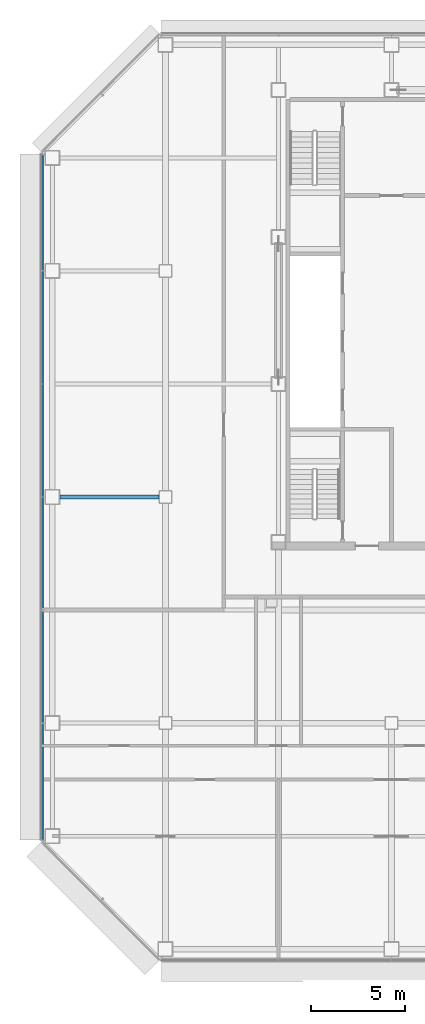
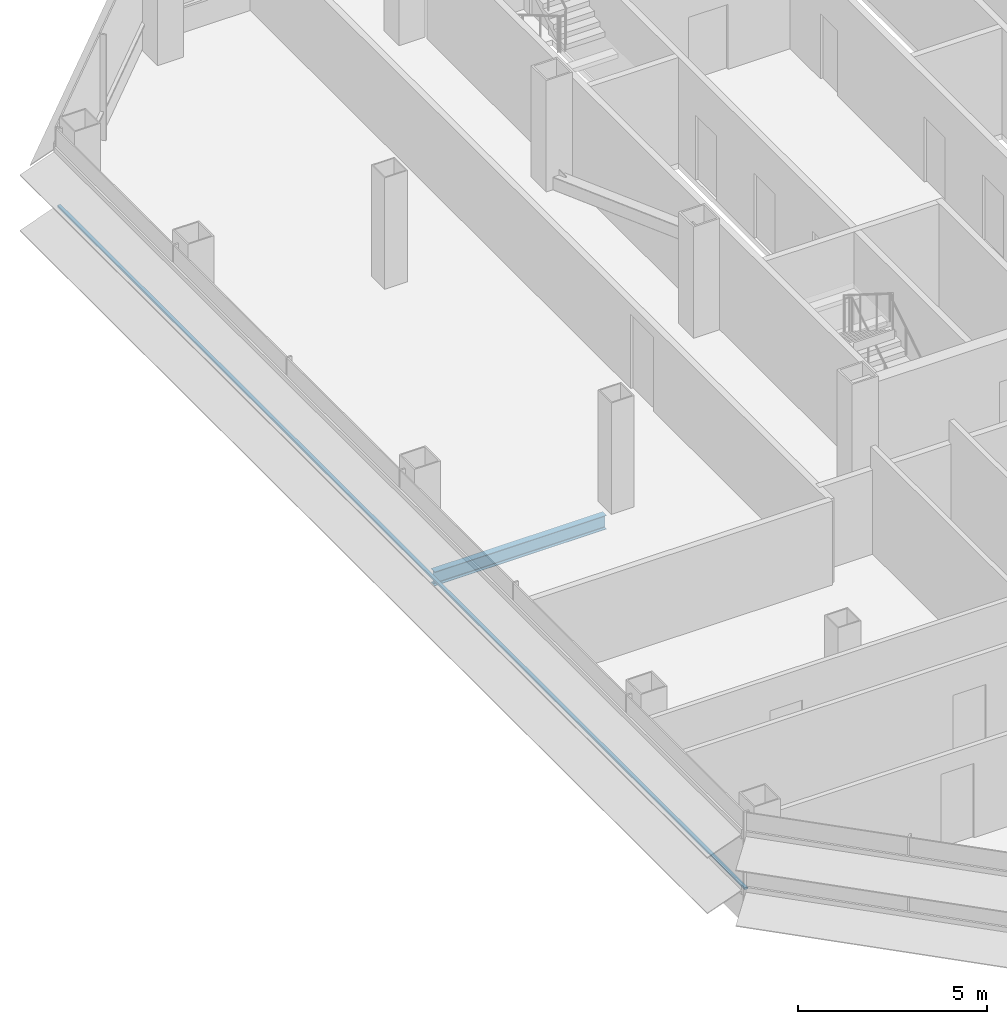
# One storey, part 5 of 25: 1 beam, 1 member, 1 element without a shape of its own.
"""IFC4 building model written with IfcOpenShell, lengths in metres."""

from ifc_helpers import new_model, si_unit, direction, frame, origin, origin_2d, place, context, subcontext, project, spatial, rectangle, i_section, extrude, material, material_profile, profile_set, type_object, element, aggregate, save


model = new_model("IFC4")

# Units and contexts
model_context = context("Model", 3, precision=1e-05, world=origin(), true_north=direction((0.0, 1.0)))
body_context = subcontext(model_context, "Body", "Model", "MODEL_VIEW")
ifc_project = project(units=[si_unit("LENGTHUNIT", "METRE"), si_unit("AREAUNIT", "SQUARE_METRE"), si_unit("VOLUMEUNIT", "CUBIC_METRE"), si_unit("PLANEANGLEUNIT", "RADIAN"), si_unit("MASSUNIT", "GRAM", prefix="KILO")], contexts=[model_context])

# Site, building, storey
site_placement = place(None, origin())
site = spatial("IfcSite", under=ifc_project, at=site_placement, CompositionType="ELEMENT")
building_placement = place(site_placement, origin())
building = spatial("IfcBuilding", under=site, at=building_placement, Name="Sorahane Residences", CompositionType="ELEMENT")
storey_placement = place(building_placement, frame((0.0, 0.0, 130.39990234375)))
storey = spatial("IfcBuildingStorey", under=building, at=storey_placement, Name="L29", CompositionType="ELEMENT", Elevation=130.39990234375)

# Curtain wall, member
ifc_material_1 = material(Name="Dark low-e glass and black anodised aluminium", Category="aluminium")
curtain_wall_type = type_object("IfcCurtainWallType", Name="Curtain wall CW-1 Typical unitised wall", PredefinedType="NOTDEFINED", material=ifc_material_1)
curtain_wall_placement = place(storey_placement, origin())
curtain_wall = element("IfcCurtainWall", 1, at=curtain_wall_placement, inside=storey, type_object=curtain_wall_type, Name="CW-1 curtain wall L29 W1", PredefinedType="NOTDEFINED")
ifc_material_2 = material(Name="Black anodised aluminium", Category="aluminium")
ifc_material_profile_1 = material_profile(ifc_material_2, rectangle(XDim=0.10009765625, YDim=0.06005859375, at=origin_2d()), Name="Curtain wall transom CW-1 black anodised aluminium 60x100")
ifc_profile_set_1 = profile_set([ifc_material_profile_1], Name="Black anodised aluminium")
member_type = type_object("IfcMemberType", Name="Curtain wall transom CW-1 black anodised aluminium 60x100", PredefinedType="USERDEFINED", material=ifc_profile_set_1)
member_placement = place(storey_placement, frame((-6.530029296875, 42.198486328125, 0.900146484375), z_axis=(0.0, -1.0, 0.0), x_axis=(1.0, 0.0, 0.0)))
member = element("IfcMember", 2, at=member_placement, type_object=member_type, Name="CW-1 transom L29 W1", ObjectType="TRANSOM", PredefinedType="USERDEFINED", context=body_context, shape_type="SweptSolid", body=[
    extrude(rectangle(XDim=0.10009765625, YDim=0.06005859375, at=origin_2d()), origin(), (0.0, 0.0, 1.0), 36.39697265625),
])
aggregate(curtain_wall, [member])

# Beam
ifc_material_3 = material(Name="Steel Q355B", Category="steel")
ifc_material_profile_2 = material_profile(ifc_material_3, i_section(OverallWidth=0.199951171875, OverallDepth=0.449951171875, WebThickness=0.009033203125, FlangeThickness=0.013916015625, FilletRadius=0.02001953125, at=origin_2d()), Name="HN 450x200x9x14")
ifc_profile_set_2 = profile_set([ifc_material_profile_2], Name="Steel Q355B")
beam_type = type_object("IfcBeamType", Name="Steel floor beam HN 450x200x9x14 Q355B", PredefinedType="BEAM", material=ifc_profile_set_2)
beam_placement = place(storey_placement, frame((-5.60009765625, 24.0, -0.40478515625), z_axis=(1.0, 0.0, 0.0), x_axis=(0.0, 1.0, 0.0)))
element("IfcBeam", 3, at=beam_placement, inside=storey, type_object=beam_type, Name="Beam L29 011", PredefinedType="BEAM", context=body_context, shape_type="SweptSolid", body=[
    extrude(i_section(OverallWidth=0.199951171875, OverallDepth=0.449951171875, WebThickness=0.009033203125, FlangeThickness=0.013916015625, FilletRadius=0.02001953125, at=origin_2d()), origin(), (0.0, 0.0, 1.0), 5.25),
])

save(model, "model.ifc")
